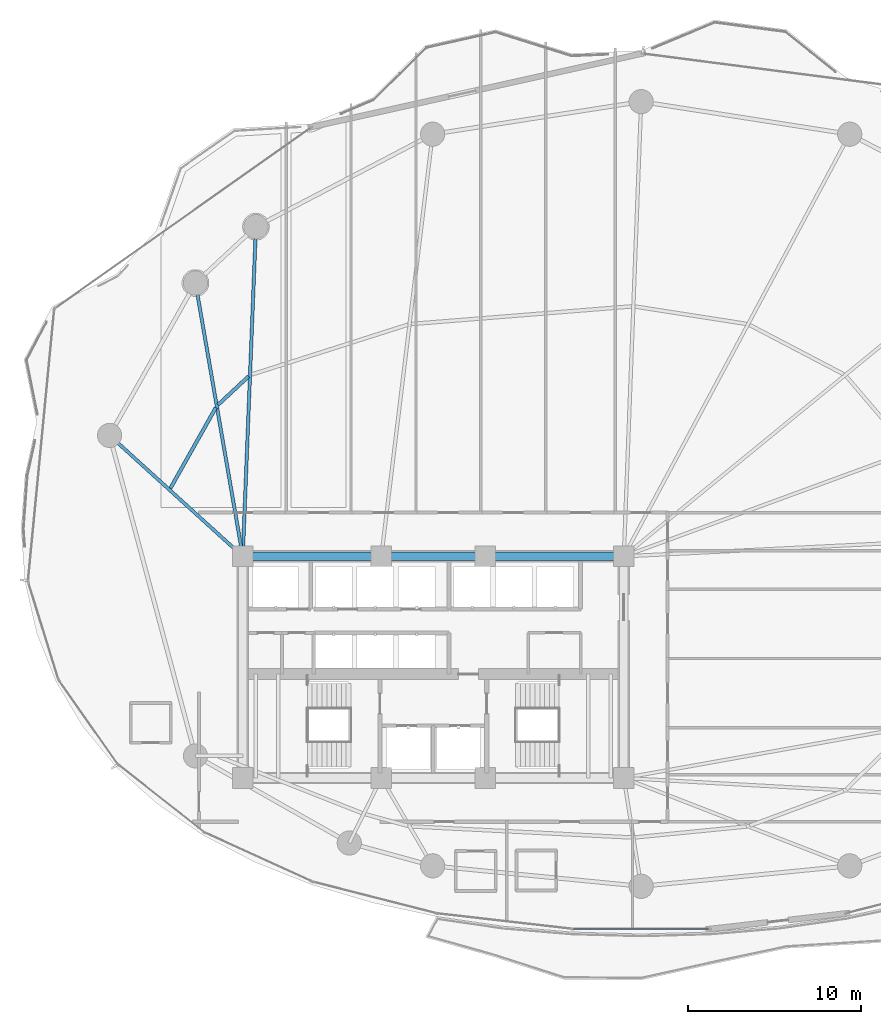
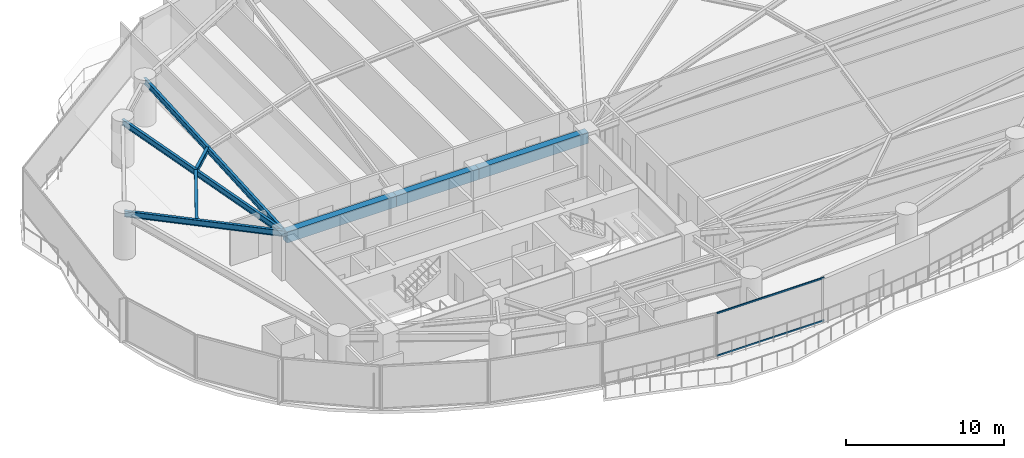
# One storey, part 9 of 32: 8 beams, 2 members, 1 element without a shape of its own.
"""IFC4 building model written with IfcOpenShell, lengths in metres."""

from ifc_helpers import new_model, si_unit, direction, frame, origin, origin_2d, place, context, subcontext, project, spatial, rectangle, hollow_rectangle, i_section, extrude, material, layer, layer_set, material_profile, profile_set, type_object, element, aggregate, save


model = new_model("IFC4")

# Units and contexts
model_context = context("Model", 3, precision=1e-05, world=origin(), true_north=direction((0.0, 1.0)))
body_context = subcontext(model_context, "Body", "Model", "MODEL_VIEW")
ifc_project = project(units=[si_unit("LENGTHUNIT", "METRE"), si_unit("AREAUNIT", "SQUARE_METRE"), si_unit("VOLUMEUNIT", "CUBIC_METRE"), si_unit("PLANEANGLEUNIT", "RADIAN"), si_unit("MASSUNIT", "GRAM", prefix="KILO")], contexts=[model_context])

# Site, building, storey
site_placement = place(None, origin())
site = spatial("IfcSite", under=ifc_project, at=site_placement, CompositionType="ELEMENT")
building_placement = place(site_placement, origin())
building = spatial("IfcBuilding", under=site, at=building_placement, Name="Kazevale Care Tower and Concert Hall", CompositionType="ELEMENT")
storey_placement = place(building_placement, frame((0.0, 0.0, 38.39990234375)))
storey = spatial("IfcBuildingStorey", under=building, at=storey_placement, Name="L09", CompositionType="ELEMENT", Elevation=38.39990234375)

# Curtain wall, members
ifc_material_1 = material(Name="Aluminium 6063-T6 and Low-E Glass", Category="aluminium")
ifc_layer = layer(ifc_material_1, 0.179931640625)
ifc_layer_set = layer_set([ifc_layer], Name="Aluminium 6063-T6 and Low-E Glass")
curtain_wall_type = type_object("IfcCurtainWallType", Name="Sheltered Concave Balcony Curtain Wall CW-5", PredefinedType="NOTDEFINED", material=ifc_layer_set)
curtain_wall_placement = place(storey_placement, origin())
curtain_wall = element("IfcCurtainWall", 1, at=curtain_wall_placement, inside=storey, type_object=curtain_wall_type, Name="cw:L09:f06", PredefinedType="NOTDEFINED")
ifc_material_2 = material(Name="Aluminium 6063-T6", Category="aluminium")
ifc_material_profile_1 = material_profile(ifc_material_2, hollow_rectangle(XDim=0.074951171875, YDim=0.1201171875, WallThickness=0.00390625, at=origin_2d()), Name="ALU75x120x4")
ifc_profile_set_1 = profile_set([ifc_material_profile_1], Name="Aluminium 6063-T6")
member_type = type_object("IfcMemberType", Name="CW-5 Transom ALU75x120x4", PredefinedType="USERDEFINED", material=ifc_profile_set_1)
member_1_placement = place(storey_placement, frame((48.923095703125, 14.889892578125, 0.03759765625), z_axis=(-1.0, 0.0, 0.0), x_axis=(0.0, -1.0, 0.0)))
member_1 = element("IfcMember", 2, at=member_1_placement, type_object=member_type, Name="CW-5 transom 1.1", ObjectType="TRANSOM", PredefinedType="USERDEFINED", context=body_context, shape_type="SweptSolid", body=[
    extrude(hollow_rectangle(XDim=0.074951171875, YDim=0.1201171875, WallThickness=0.00390625, at=origin_2d()), origin(), (0.0, 0.0, 1.0), 7.84619140625),
])
member_2_placement = place(storey_placement, frame((48.923095703125, 14.889892578125, 3.322509765625), z_axis=(-1.0, 0.0, 0.0), x_axis=(0.0, -1.0, 0.0)))
member_2 = element("IfcMember", 3, at=member_2_placement, type_object=member_type, Name="CW-5 transom 1.2", ObjectType="TRANSOM", PredefinedType="USERDEFINED", context=body_context, shape_type="SweptSolid", body=[
    extrude(hollow_rectangle(XDim=0.074951171875, YDim=0.1201171875, WallThickness=0.00390625, at=origin_2d()), origin(), (0.0, 0.0, 1.0), 7.84619140625),
])
aggregate(curtain_wall, [member_1, member_2])

# Beams
ifc_material_3 = material(Name="Concrete C60", Category="concrete")
ifc_material_profile_2 = material_profile(ifc_material_3, rectangle(XDim=0.5, YDim=0.85009765625, at=origin_2d()), Name="RC-B500x850")
ifc_profile_set_2 = profile_set([ifc_material_profile_2], Name="Concrete C60")
beam_type_1 = type_object("IfcBeamType", Name="Core Coupling Beam RC500x850", PredefinedType="LINTEL", material=ifc_profile_set_2)
beam_1_placement = place(storey_placement, frame((44.0, 36.39990234375, 2.93505859375), z_axis=(-1.0, 0.0, 0.0), x_axis=(0.0, -1.0, 0.0)))
element("IfcBeam", 4, at=beam_1_placement, inside=storey, type_object=beam_type_1, Name="beam:L09:coretie:5", PredefinedType="LINTEL", context=body_context, shape_type="SweptSolid", body=[
    extrude(rectangle(XDim=0.5, YDim=0.85009765625, at=origin_2d()), origin(), (0.0, 0.0, 1.0), 8.0),
])
beam_2_placement = place(storey_placement, frame((36.0, 36.39990234375, 2.93505859375), z_axis=(-1.0, 0.0, 0.0), x_axis=(0.0, -1.0, 0.0)))
element("IfcBeam", 5, at=beam_2_placement, inside=storey, type_object=beam_type_1, Name="beam:L09:coretie:6", PredefinedType="LINTEL", context=body_context, shape_type="SweptSolid", body=[
    extrude(rectangle(XDim=0.5, YDim=0.85009765625, at=origin_2d()), origin(), (0.0, 0.0, 1.0), 6.0),
])
beam_3_placement = place(storey_placement, frame((30.0, 36.39990234375, 2.93505859375), z_axis=(-1.0, 0.0, 0.0), x_axis=(0.0, -1.0, 0.0)))
element("IfcBeam", 6, at=beam_3_placement, inside=storey, type_object=beam_type_1, Name="beam:L09:coretie:7", PredefinedType="LINTEL", context=body_context, shape_type="SweptSolid", body=[
    extrude(rectangle(XDim=0.5, YDim=0.85009765625, at=origin_2d()), origin(), (0.0, 0.0, 1.0), 8.0),
])
ifc_material_4 = material(Name="Steel ASTM A572 Gr 50", Category="steel")
ifc_material_profile_3 = material_profile(ifc_material_4, i_section(OverallWidth=0.19091796875, OverallDepth=0.4599609375, WebThickness=0.010009765625, FlangeThickness=0.01611328125, at=origin_2d()), Name="W460x82")
ifc_profile_set_3 = profile_set([ifc_material_profile_3], Name="Steel ASTM A572 Gr 50")
beam_type_2 = type_object("IfcBeamType", Name="Radial Floor Beam W460x82", PredefinedType="BEAM", material=ifc_profile_set_3)
beam_4_placement = place(storey_placement, frame((22.0, 36.39990234375, 3.130126953125), z_axis=(0.039905581428, 0.999203455044, 0.0), x_axis=(-0.999203455044, 0.039905581428, 0.0)))
element("IfcBeam", 7, at=beam_4_placement, inside=storey, type_object=beam_type_2, Name="beam:L09:rad:07", PredefinedType="BEAM", context=body_context, shape_type="SweptSolid", body=[
    extrude(i_section(OverallWidth=0.19091796875, OverallDepth=0.4599609375, WebThickness=0.010009765625, FlangeThickness=0.01611328125, at=origin_2d()), origin(), (0.0, 0.0, 1.0), 19.045166015625),
])
beam_5_placement = place(storey_placement, frame((22.0, 36.39990234375, 3.130126953125), z_axis=(-0.170469986865, 0.985362868987, 0.0), x_axis=(-0.985362868987, -0.170469986865, 0.0)))
element("IfcBeam", 8, at=beam_5_placement, inside=storey, type_object=beam_type_2, Name="beam:L09:rad:08", PredefinedType="BEAM", context=body_context, shape_type="SweptSolid", body=[
    extrude(i_section(OverallWidth=0.19091796875, OverallDepth=0.4599609375, WebThickness=0.010009765625, FlangeThickness=0.01611328125, at=origin_2d()), origin(), (0.0, 0.0, 1.0), 16.014404296875),
])
beam_6_placement = place(storey_placement, frame((22.0, 36.39990234375, 3.130126953125), z_axis=(-0.740461073653, 0.672099247436, 0.0), x_axis=(-0.672099247436, -0.740461073653, 0.0)))
element("IfcBeam", 9, at=beam_6_placement, inside=storey, type_object=beam_type_2, Name="beam:L09:rad:09", PredefinedType="BEAM", context=body_context, shape_type="SweptSolid", body=[
    extrude(i_section(OverallWidth=0.19091796875, OverallDepth=0.4599609375, WebThickness=0.010009765625, FlangeThickness=0.01611328125, at=origin_2d()), origin(), (0.0, 0.0, 1.0), 10.38525390625),
])
ifc_material_profile_4 = material_profile(ifc_material_4, i_section(OverallWidth=0.205078125, OverallDepth=0.35400390625, WebThickness=0.009521484375, FlangeThickness=0.016845703125, at=origin_2d()), Name="W360x79")
ifc_profile_set_4 = profile_set([ifc_material_profile_4], Name="Steel ASTM A572 Gr 50")
beam_type_3 = type_object("IfcBeamType", Name="Secondary Floor Joist W360x79", PredefinedType="JOIST", material=ifc_profile_set_4)
beam_7_placement = place(storey_placement, frame((22.341064453125, 46.794921875, 3.18310546875), z_axis=(-0.73194965424, -0.68135871878, 0.0), x_axis=(0.68135871878, -0.73194965424, 0.0)))
element("IfcBeam", 10, at=beam_7_placement, inside=storey, type_object=beam_type_3, Name="beam:L09:joist:07", PredefinedType="JOIST", context=body_context, shape_type="SweptSolid", body=[
    extrude(i_section(OverallWidth=0.205078125, OverallDepth=0.35400390625, WebThickness=0.009521484375, FlangeThickness=0.016845703125, at=origin_2d()), origin(), (0.0, 0.0, 1.0), 2.412841796875),
])
beam_8_placement = place(storey_placement, frame((20.447021484375, 44.988037109375, 3.18310546875), z_axis=(-0.490956987312, -0.871183813331, 0.0), x_axis=(0.871183813331, -0.490956987312, 0.0)))
element("IfcBeam", 11, at=beam_8_placement, inside=storey, type_object=beam_type_3, Name="beam:L09:joist:08", PredefinedType="JOIST", context=body_context, shape_type="SweptSolid", body=[
    extrude(i_section(OverallWidth=0.205078125, OverallDepth=0.35400390625, WebThickness=0.009521484375, FlangeThickness=0.016845703125, at=origin_2d()), origin(), (0.0, 0.0, 1.0), 5.3466796875),
])

save(model, "model.ifc")
